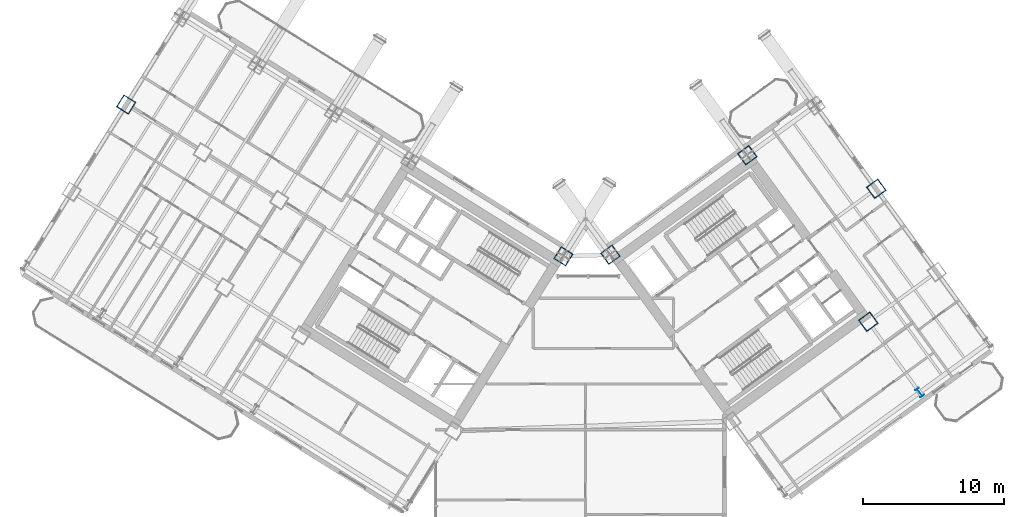
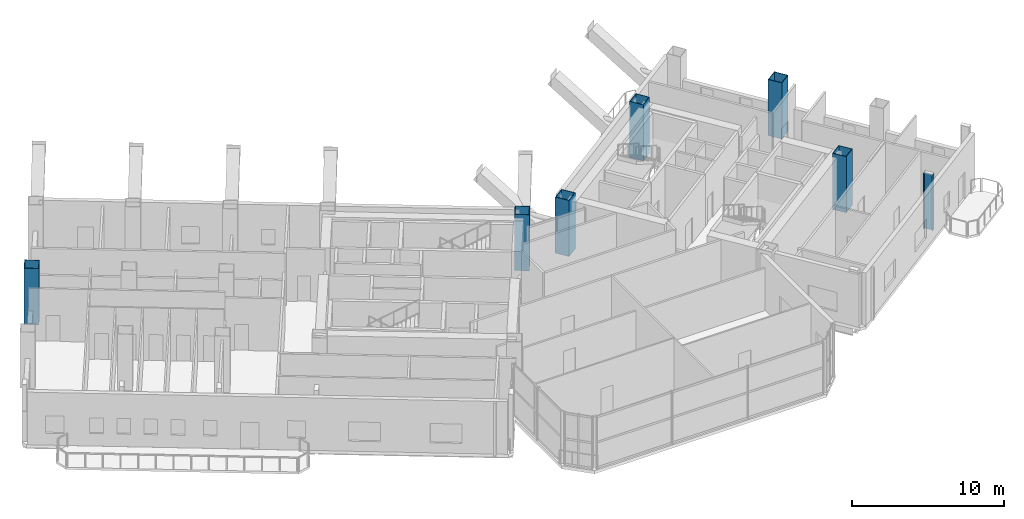
# One storey, part 2 of 30: 7 columns.
"""IFC4 building model written with IfcOpenShell, lengths in metres."""

from ifc_helpers import new_model, si_unit, direction, frame, origin, origin_2d, place, context, subcontext, project, spatial, hollow_rectangle, i_section, extrude, source, transform, mapped, material, material_profile, profile_set, type_object, element, save


model = new_model("IFC4")

# Units and contexts
model_context = context("Model", 3, precision=1e-05, world=origin(), true_north=direction((0.0, 1.0)))
body_context = subcontext(model_context, "Body", "Model", "MODEL_VIEW")
ifc_project = project(units=[si_unit("LENGTHUNIT", "METRE"), si_unit("AREAUNIT", "SQUARE_METRE"), si_unit("VOLUMEUNIT", "CUBIC_METRE"), si_unit("PLANEANGLEUNIT", "RADIAN"), si_unit("MASSUNIT", "GRAM", prefix="KILO")], contexts=[model_context])

# Site, building, storey
site_placement = place(None, origin())
site = spatial("IfcSite", under=ifc_project, at=site_placement, CompositionType="ELEMENT")
building_placement = place(site_placement, origin())
building = spatial("IfcBuilding", under=site, at=building_placement, Name="Tlacorven Tower", CompositionType="ELEMENT")
storey_placement = place(building_placement, frame((0.0, 0.0, 67.199951171875)))
storey = spatial("IfcBuildingStorey", under=building, at=storey_placement, Name="L17", CompositionType="ELEMENT", Elevation=67.199951171875)

# Columns
ifc_material = material(Name="Steel S460M", Category="steel")
ifc_material_profile_1 = material_profile(ifc_material, hollow_rectangle(XDim=1.0, YDim=1.0, WallThickness=0.0400390625, at=origin_2d()), Name="BOX 1000X1000X40")
ifc_profile_set_1 = profile_set([ifc_material_profile_1], Name="Steel S460M")
column_type_1 = type_object("IfcColumnType", Name="COL-TWR-S1", PredefinedType="COLUMN", material=ifc_profile_set_1)
shared_shape_1 = source(origin(), body_context, "Body", "SweptSolid", [
    extrude(hollow_rectangle(XDim=1.0, YDim=1.0, WallThickness=0.0400390625, at=origin_2d()), origin(), (0.0, 0.0, 1.0), 4.5),
])
for number, where, z_axis, x_axis, name in (
    (1, (40.782958984375, 24.468505859375, 0.0), (0.0, 0.0, 1.0), (-0.848048096156, 0.529919264233, 0.0), "L17 column COL-L17-W1-1"),
    (2, (9.777099609375, 35.235107421875, 0.0), (0.0, 0.0, 1.0), (-0.848048096156, 0.529919264233, 0.0), "L17 column COL-L17-W6-2"),
    (3, (44.123779296875, 24.5849609375, 0.0), (0.0, 0.0, 1.0), (0.809016994375, 0.587785252292, 0.0), "L17 column COL-L17-E1-4"),
    (4, (62.41357421875, 19.826904296875, 0.0), (0.0, 0.0, 1.0), (0.809016994375, 0.587785252292, 0.0), "L17 column COL-L17-E3-2"),
    (5, (53.83203125, 31.638427734375, 0.0), (0.0, 0.0, 1.0), (0.809016994375, 0.587785252292, 0.0), "L17 column COL-L17-E3-4"),
    (6, (62.976806640625, 29.25927734375, 0.0), (0.0, 0.0, 1.0), (0.809016994375, 0.587785252292, 0.0), "L17 column COL-L17-E4-3"),
):
    element("IfcColumn", number, at=place(storey_placement, frame(where, z_axis=z_axis, x_axis=x_axis)), inside=storey, type_object=column_type_1, Name=name, PredefinedType="COLUMN", context=body_context, shape_type="MappedRepresentation", body=[
        mapped(shared_shape_1, transform((0.0, 0.0, 0.0), scale=1.0)),
    ])
ifc_material_profile_2 = material_profile(ifc_material, i_section(OverallWidth=0.300048828125, OverallDepth=0.64990234375, WebThickness=0.01611328125, FlangeThickness=0.031005859375, at=origin_2d()), Name="HEB 650")
ifc_profile_set_2 = profile_set([ifc_material_profile_2], Name="Steel S460M")
column_type_2 = type_object("IfcColumnType", Name="COL-TWR-P1", PredefinedType="COLUMN", material=ifc_profile_set_2)
shared_shape_2 = source(origin(), body_context, "Body", "SweptSolid", [
    extrude(i_section(OverallWidth=0.300048828125, OverallDepth=0.64990234375, WebThickness=0.01611328125, FlangeThickness=0.031005859375, at=origin_2d()), origin(), (0.0, 0.0, 1.0), 4.5),
])
column_placement = place(storey_placement, frame((66.057861328125, 14.81103515625, 0.0), z_axis=(0.0, 0.0, 1.0), x_axis=(0.809016994375, 0.587785252292, 0.0)))
element("IfcColumn", 7, at=column_placement, inside=storey, type_object=column_type_2, Name="L17 column COL-L17-E3-1", PredefinedType="COLUMN", context=body_context, shape_type="MappedRepresentation", body=[
    mapped(shared_shape_2, transform((0.0, 0.0, 0.0), scale=1.0)),
])

save(model, "model.ifc")
